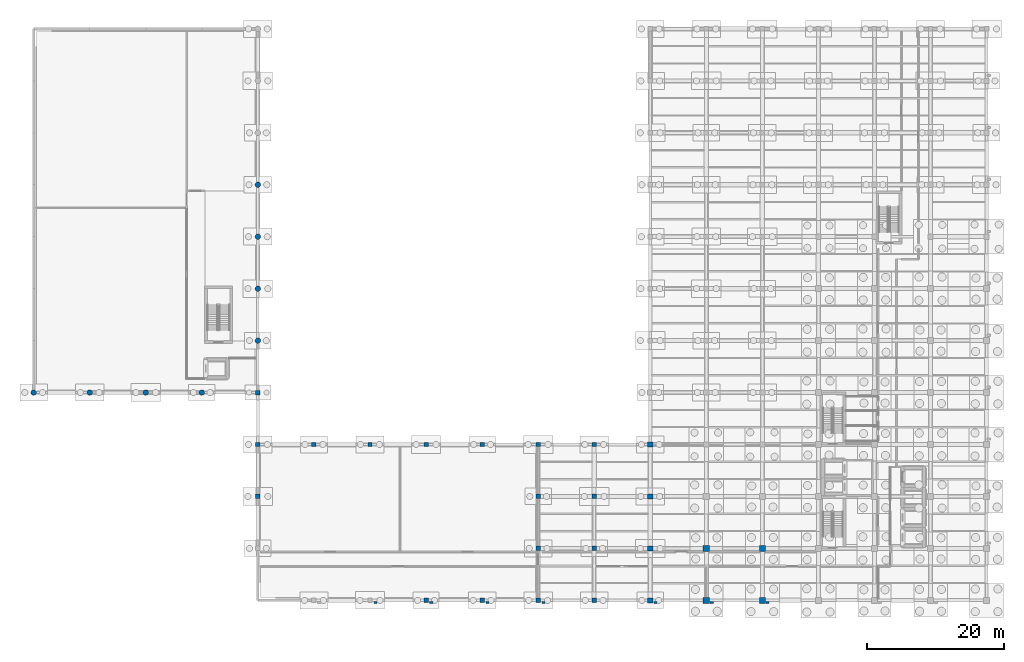
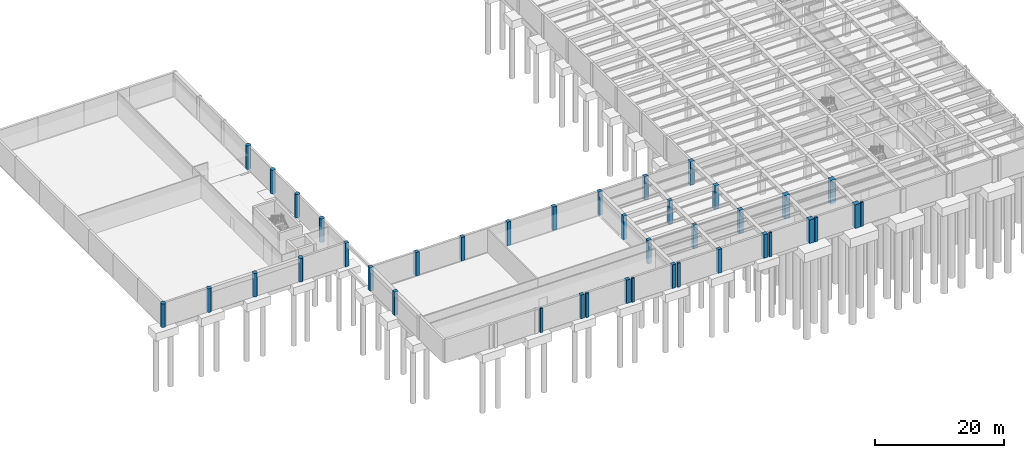
# One storey, part 9 of 29: 40 columns.
"""IFC4 building model written with IfcOpenShell, lengths in metres."""

from ifc_helpers import new_model, si_unit, direction, frame, origin, origin_2d, place, context, subcontext, project, spatial, rectangle, circle, extrude, material, material_profile, profile_set, type_object, element, save


model = new_model("IFC4")

# Units and contexts
model_context = context("Model", 3, precision=1e-05, world=origin(), true_north=direction((0.0, 1.0)))
body_context = subcontext(model_context, "Body", "Model", "MODEL_VIEW")
ifc_project = project(units=[si_unit("LENGTHUNIT", "METRE"), si_unit("AREAUNIT", "SQUARE_METRE"), si_unit("VOLUMEUNIT", "CUBIC_METRE"), si_unit("PLANEANGLEUNIT", "RADIAN"), si_unit("MASSUNIT", "GRAM", prefix="KILO")], contexts=[model_context])

# Site, building, storey
site_placement = place(None, origin())
site = spatial("IfcSite", under=ifc_project, at=site_placement, CompositionType="ELEMENT")
building_placement = place(site_placement, origin())
building = spatial("IfcBuilding", under=site, at=building_placement, Name="Qandaris Square Conservatory and Botanical Centre", CompositionType="ELEMENT")
storey_placement = place(building_placement, frame((0.0, 0.0, -4.800048828125)))
storey = spatial("IfcBuildingStorey", under=building, at=storey_placement, Name="B1", CompositionType="ELEMENT", Elevation=-4.800048828125)

# Columns
ifc_material = material(Name="Concrete C50/60", Category="concrete")
ifc_material_profile_1 = material_profile(ifc_material, circle(Radius=0.39990234375, at=origin_2d()), Name="RC-COL D800")
ifc_profile_set_1 = profile_set([ifc_material_profile_1], Name="Concrete C50/60")
column_type_1 = type_object("IfcColumnType", Name="Conservatory Ring Pier D800", PredefinedType="COLUMN", material=ifc_profile_set_1)
for number, where, z_axis, x_axis, name in (
    (1, (24.39990234375, 47.0, 0.0), (0.0, 0.0, 1.0), (1.0, 0.0, 0.0), "Column F3 (B1)"),
    (2, (32.60009765625, 47.0, 0.0), (0.0, 0.0, 1.0), (1.0, 0.0, 0.0), "Column F4 (B1)"),
    (3, (40.800048828125, 47.0, 0.0), (0.0, 0.0, 1.0), (1.0, 0.0, 0.0), "Column F5 (B1)"),
    (4, (49.0, 47.0, 0.0), (0.0, 0.0, 1.0), (1.0, 0.0, 0.0), "Column F6 (B1)"),
    (5, (57.199951171875, 54.60009765625, 0.0), (0.0, 0.0, 1.0), (1.0, 0.0, 0.0), "Column G7 (B1)"),
    (6, (57.199951171875, 62.199951171875, 0.0), (0.0, 0.0, 1.0), (1.0, 0.0, 0.0), "Column H7 (B1)"),
    (7, (57.199951171875, 69.800048828125, 0.0), (0.0, 0.0, 1.0), (1.0, 0.0, 0.0), "Column J7 (B1)"),
    (8, (57.199951171875, 77.39990234375, 0.0), (0.0, 0.0, 1.0), (1.0, 0.0, 0.0), "Column K7 (B1)"),
):
    element("IfcColumn", number, at=place(storey_placement, frame(where, z_axis=z_axis, x_axis=x_axis)), inside=storey, type_object=column_type_1, Name=name, PredefinedType="COLUMN", context=body_context, shape_type="SweptSolid", body=[
        extrude(circle(Radius=0.39990234375, at=origin_2d()), origin(), (0.0, 0.0, 1.0), 4.4599609375),
    ])
ifc_material_profile_2 = material_profile(ifc_material, rectangle(XDim=0.449951171875, YDim=0.300048828125, at=origin_2d()), Name="RC-PIL 450x300")
ifc_profile_set_2 = profile_set([ifc_material_profile_2], Name="Concrete C50/60")
column_type_2 = type_object("IfcColumnType", Name="Engaged Prairie Pilaster 450x300", PredefinedType="PILASTER", material=ifc_profile_set_2)
for number, where, z_axis, x_axis, name in (
    (9, (74.3798828125, 16.280029296875, 0.0), (0.0, 0.0, 1.0), (1.0, 0.0, 0.0), "Prairie Pilaster 02 (B1)"),
    (10, (90.780029296875, 16.280029296875, 0.0), (0.0, 0.0, 1.0), (1.0, 0.0, 0.0), "Prairie Pilaster 04 (B1)"),
    (11, (115.3798828125, 16.280029296875, 0.0), (0.0, 0.0, 1.0), (1.0, 0.0, 0.0), "Prairie Pilaster 06 (B1)"),
    (12, (131.780029296875, 16.280029296875, 0.0), (0.0, 0.0, 1.0), (1.0, 0.0, 0.0), "Prairie Pilaster 08 (B1)"),
):
    element("IfcColumn", number, at=place(storey_placement, frame(where, z_axis=z_axis, x_axis=x_axis)), inside=storey, type_object=column_type_2, Name=name, PredefinedType="PILASTER", context=body_context, shape_type="SweptSolid", body=[
        extrude(rectangle(XDim=0.449951171875, YDim=0.300048828125, at=origin_2d()), origin(), (0.0, 0.0, 1.0), 4.56494140625),
    ])
ifc_material_profile_3 = material_profile(ifc_material, rectangle(XDim=0.5, YDim=0.35009765625, at=origin_2d()), Name="RC-PIL 500x350")
ifc_profile_set_3 = profile_set([ifc_material_profile_3], Name="Concrete C50/60")
column_type_3 = type_object("IfcColumnType", Name="Engaged Prairie Pilaster 500x350", PredefinedType="PILASTER", material=ifc_profile_set_3)
for number, where, z_axis, x_axis, name in (
    (13, (82.580078125, 16.280029296875, 0.0), (0.0, 0.0, 1.0), (1.0, 0.0, 0.0), "Prairie Pilaster 03 (B1)"),
    (14, (98.97998046875, 16.280029296875, 0.0), (0.0, 0.0, 1.0), (1.0, 0.0, 0.0), "Prairie Pilaster 05 (B1)"),
    (15, (123.580078125, 16.280029296875, 0.0), (0.0, 0.0, 1.0), (1.0, 0.0, 0.0), "Prairie Pilaster 07 (B1)"),
):
    element("IfcColumn", number, at=place(storey_placement, frame(where, z_axis=z_axis, x_axis=x_axis)), inside=storey, type_object=column_type_3, Name=name, PredefinedType="PILASTER", context=body_context, shape_type="SweptSolid", body=[
        extrude(rectangle(XDim=0.5, YDim=0.35009765625, at=origin_2d()), origin(), (0.0, 0.0, 1.0), 4.56494140625),
    ])
ifc_material_profile_4 = material_profile(ifc_material, rectangle(XDim=0.64990234375, YDim=0.64990234375, at=origin_2d()), Name="RC-COL 650x650")
ifc_profile_set_4 = profile_set([ifc_material_profile_4], Name="Concrete C50/60")
column_type_4 = type_object("IfcColumnType", Name="RC Column 650x650", PredefinedType="COLUMN", material=ifc_profile_set_4)
for number, where, z_axis, x_axis, name in (
    (16, (57.199951171875, 31.800048828125, 0.0), (0.0, 0.0, 1.0), (1.0, 0.0, 0.0), "Column D7 (B1)"),
    (17, (57.199951171875, 39.39990234375, 0.0), (0.0, 0.0, 1.0), (1.0, 0.0, 0.0), "Column E7 (B1)"),
    (18, (57.199951171875, 47.0, 0.0), (0.0, 0.0, 1.0), (1.0, 0.0, 0.0), "Column F7 (B1)"),
    (19, (65.39990234375, 39.39990234375, 0.0), (0.0, 0.0, 1.0), (1.0, 0.0, 0.0), "Column E8 (B1)"),
    (20, (73.60009765625, 39.39990234375, 0.0), (0.0, 0.0, 1.0), (1.0, 0.0, 0.0), "Column E9 (B1)"),
    (21, (81.800048828125, 16.60009765625, 0.0), (0.0, 0.0, 1.0), (1.0, 0.0, 0.0), "Column B10 (B1)"),
    (22, (81.800048828125, 39.39990234375, 0.0), (0.0, 0.0, 1.0), (1.0, 0.0, 0.0), "Column E10 (B1)"),
    (23, (90.0, 16.60009765625, 0.0), (0.0, 0.0, 1.0), (1.0, 0.0, 0.0), "Column B11 (B1)"),
    (24, (90.0, 39.39990234375, 0.0), (0.0, 0.0, 1.0), (1.0, 0.0, 0.0), "Column E11 (B1)"),
    (25, (98.199951171875, 16.60009765625, 0.0), (0.0, 0.0, 1.0), (1.0, 0.0, 0.0), "Column B12 (B1)"),
    (26, (98.199951171875, 24.199951171875, 0.0), (0.0, 0.0, 1.0), (1.0, 0.0, 0.0), "Column C12 (B1)"),
    (27, (98.199951171875, 31.800048828125, 0.0), (0.0, 0.0, 1.0), (1.0, 0.0, 0.0), "Column D12 (B1)"),
    (28, (98.199951171875, 39.39990234375, 0.0), (0.0, 0.0, 1.0), (1.0, 0.0, 0.0), "Column E12 (B1)"),
    (29, (106.39990234375, 16.60009765625, 0.0), (0.0, 0.0, 1.0), (1.0, 0.0, 0.0), "Column B13 (B1)"),
    (30, (106.39990234375, 24.199951171875, 0.0), (0.0, 0.0, 1.0), (1.0, 0.0, 0.0), "Column C13 (B1)"),
    (31, (106.39990234375, 31.800048828125, 0.0), (0.0, 0.0, 1.0), (1.0, 0.0, 0.0), "Column D13 (B1)"),
    (32, (106.39990234375, 39.39990234375, 0.0), (0.0, 0.0, 1.0), (1.0, 0.0, 0.0), "Column E13 (B1)"),
):
    element("IfcColumn", number, at=place(storey_placement, frame(where, z_axis=z_axis, x_axis=x_axis)), inside=storey, type_object=column_type_4, Name=name, PredefinedType="COLUMN", context=body_context, shape_type="SweptSolid", body=[
        extrude(rectangle(XDim=0.64990234375, YDim=0.64990234375, at=origin_2d()), origin(), (0.0, 0.0, 1.0), 4.4599609375),
    ])
ifc_material_profile_5 = material_profile(ifc_material, rectangle(XDim=0.75, YDim=0.75, at=origin_2d()), Name="RC-COL 750x750")
ifc_profile_set_5 = profile_set([ifc_material_profile_5], Name="Concrete C50/60")
column_type_5 = type_object("IfcColumnType", Name="RC Column 750x750", PredefinedType="COLUMN", material=ifc_profile_set_5)
for number, where, z_axis, x_axis, name in (
    (33, (114.60009765625, 16.60009765625, 0.0), (0.0, 0.0, 1.0), (1.0, 0.0, 0.0), "Column B14 (B1)"),
    (34, (114.60009765625, 24.199951171875, 0.0), (0.0, 0.0, 1.0), (1.0, 0.0, 0.0), "Column C14 (B1)"),
    (35, (114.60009765625, 31.800048828125, 0.0), (0.0, 0.0, 1.0), (1.0, 0.0, 0.0), "Column D14 (B1)"),
    (36, (114.60009765625, 39.39990234375, 0.0), (0.0, 0.0, 1.0), (1.0, 0.0, 0.0), "Column E14 (B1)"),
):
    element("IfcColumn", number, at=place(storey_placement, frame(where, z_axis=z_axis, x_axis=x_axis)), inside=storey, type_object=column_type_5, Name=name, PredefinedType="COLUMN", context=body_context, shape_type="SweptSolid", body=[
        extrude(rectangle(XDim=0.75, YDim=0.75, at=origin_2d()), origin(), (0.0, 0.0, 1.0), 4.4599609375),
    ])
ifc_material_profile_6 = material_profile(ifc_material, rectangle(XDim=0.89990234375, YDim=0.89990234375, at=origin_2d()), Name="RC-COL 900x900")
ifc_profile_set_6 = profile_set([ifc_material_profile_6], Name="Concrete C50/60")
column_type_6 = type_object("IfcColumnType", Name="RC Column 900x900", PredefinedType="COLUMN", material=ifc_profile_set_6)
for number, where, z_axis, x_axis, name in (
    (37, (122.800048828125, 16.60009765625, 0.0), (0.0, 0.0, 1.0), (1.0, 0.0, 0.0), "Column B15 (B1)"),
    (38, (122.800048828125, 24.199951171875, 0.0), (0.0, 0.0, 1.0), (1.0, 0.0, 0.0), "Column C15 (B1)"),
    (39, (131.0, 16.60009765625, 0.0), (0.0, 0.0, 1.0), (1.0, 0.0, 0.0), "Column B16 (B1)"),
    (40, (131.0, 24.199951171875, 0.0), (0.0, 0.0, 1.0), (1.0, 0.0, 0.0), "Column C16 (B1)"),
):
    element("IfcColumn", number, at=place(storey_placement, frame(where, z_axis=z_axis, x_axis=x_axis)), inside=storey, type_object=column_type_6, Name=name, PredefinedType="COLUMN", context=body_context, shape_type="SweptSolid", body=[
        extrude(rectangle(XDim=0.89990234375, YDim=0.89990234375, at=origin_2d()), origin(), (0.0, 0.0, 1.0), 4.4599609375),
    ])

save(model, "model.ifc")
